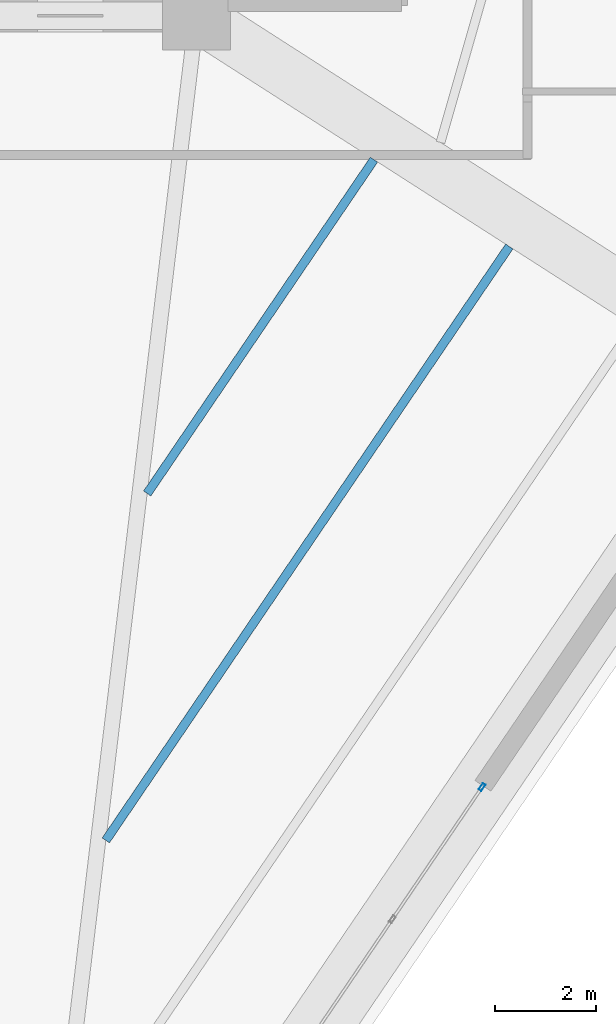
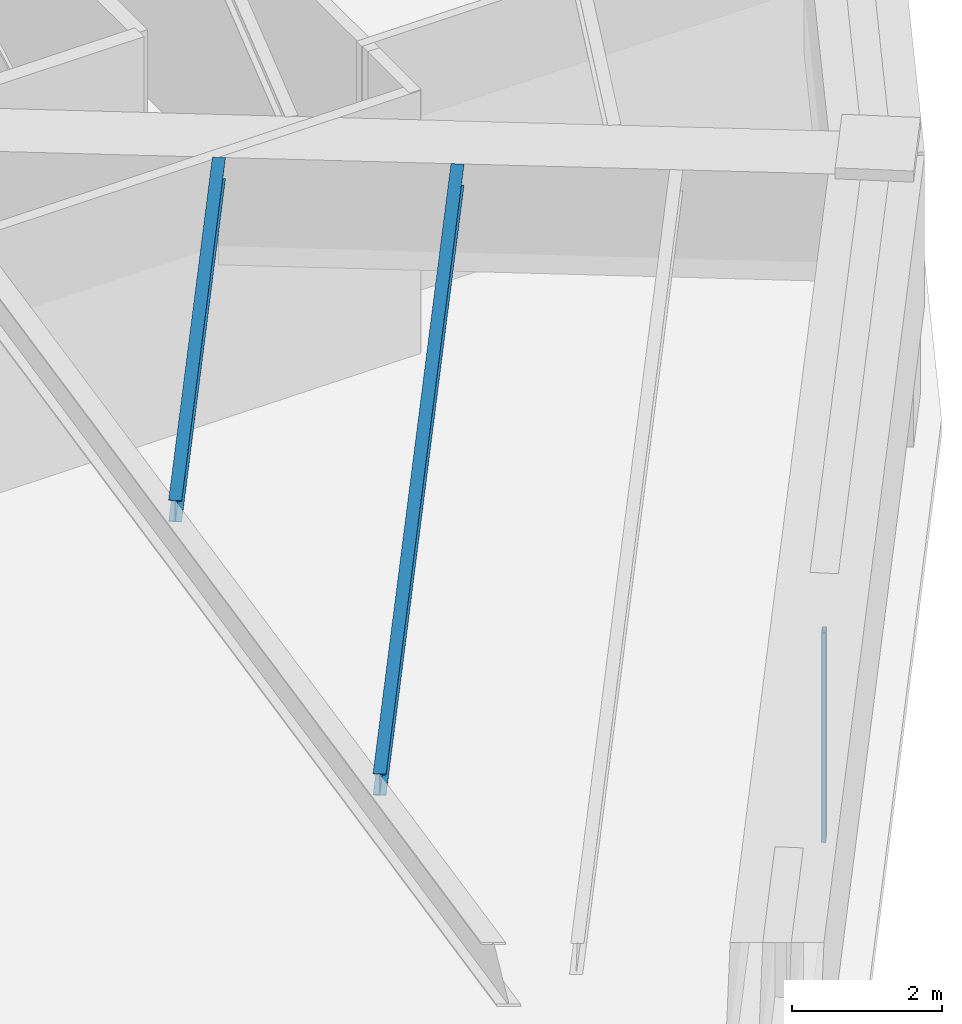
# One storey, part 10 of 39: 2 beams, 1 member, 1 element without a shape of its own.
"""IFC4 building model written with IfcOpenShell, lengths in metres."""

from ifc_helpers import new_model, si_unit, direction, frame, origin, origin_2d, place, context, subcontext, project, spatial, hollow_rectangle, i_section, extrude, source, transform, mapped, material, layer, layer_set, material_profile, profile_set, type_object, element, aggregate, save


model = new_model("IFC4")

# Units and contexts
model_context = context("Model", 3, precision=1e-05, world=origin(), true_north=direction((0.0, 1.0)))
body_context = subcontext(model_context, "Body", "Model", "MODEL_VIEW")
ifc_project = project(units=[si_unit("LENGTHUNIT", "METRE"), si_unit("AREAUNIT", "SQUARE_METRE"), si_unit("VOLUMEUNIT", "CUBIC_METRE"), si_unit("PLANEANGLEUNIT", "RADIAN"), si_unit("MASSUNIT", "GRAM", prefix="KILO")], contexts=[model_context])

# Site, building, storey
site_placement = place(None, origin())
site = spatial("IfcSite", under=ifc_project, at=site_placement, CompositionType="ELEMENT")
building_placement = place(site_placement, origin())
building = spatial("IfcBuilding", under=site, at=building_placement, Name="Liaohun Quay Tower", CompositionType="ELEMENT")
storey_placement = place(building_placement, frame((0.0, 0.0, 189.75)))
storey = spatial("IfcBuildingStorey", under=building, at=storey_placement, Name="L49", CompositionType="ELEMENT", Elevation=189.75)

# Beams
ifc_material_1 = material(Name="Steel Q355D", Category="steel")
ifc_material_profile_1 = material_profile(ifc_material_1, i_section(OverallWidth=0.175048828125, OverallDepth=0.35009765625, WebThickness=0.007080078125, FlangeThickness=0.010986328125, at=origin_2d()), Name="HN350x175x7x11")
ifc_profile_set_1 = profile_set([ifc_material_profile_1], Name="Steel Q355D")
beam_type = type_object("IfcBeamType", Name="BM-SEC-J3", PredefinedType="JOIST", material=ifc_profile_set_1)
shared_shape_1 = source(origin(), body_context, "Body", "SweptSolid", [
    extrude(i_section(OverallWidth=0.175048828125, OverallDepth=0.35009765625, WebThickness=0.007080078125, FlangeThickness=0.010986328125, at=origin_2d()), origin(), (0.0, 0.0, 1.0), 8.0029296875),
])
beam_1_placement = place(storey_placement, frame((72.51904296875, 43.64697265625, 4.14501953125), z_axis=(-0.561930299352, -0.82718458561, 0.0), x_axis=(0.82718458561, -0.561930299352, 0.0)))
element("IfcBeam", 1, at=beam_1_placement, inside=storey, type_object=beam_type, Name="L49 Wing Secondary Floor Joist SJ-12", PredefinedType="JOIST", context=body_context, shape_type="MappedRepresentation", body=[
    mapped(shared_shape_1, transform((0.0, 0.0, 0.0), x_axis=(1.0, 0.0, 0.0), y_axis=(0.0, 1.0, 0.0), z_axis=(0.0, 0.0, 1.0), scale=1.0)),
])
shared_shape_2 = source(origin(), body_context, "Body", "SweptSolid", [
    extrude(i_section(OverallWidth=0.175048828125, OverallDepth=0.35009765625, WebThickness=0.007080078125, FlangeThickness=0.010986328125, at=origin_2d()), origin(), (0.0, 0.0, 1.0), 14.235595703125),
])
beam_2_placement = place(storey_placement, frame((75.201904296875, 41.925048828125, 4.14501953125), z_axis=(-0.561968945143, -0.827158331092, 0.0), x_axis=(0.827158331092, -0.561968945143, 0.0)))
element("IfcBeam", 2, at=beam_2_placement, inside=storey, type_object=beam_type, Name="L49 Wing Secondary Floor Joist SJ-13", PredefinedType="JOIST", context=body_context, shape_type="MappedRepresentation", body=[
    mapped(shared_shape_2, transform((0.0, 0.0, 0.0), x_axis=(1.0, 0.0, 0.0), y_axis=(0.0, 1.0, 0.0), z_axis=(0.0, 0.0, 1.0), scale=1.0)),
])

# Curtain wall, member
ifc_material_2 = material(Name="Mid-height zone-break sky-lobby curtain wall")
ifc_layer = layer(ifc_material_2, 0.199951171875, Name="Mid-height zone-break sky-lobby curtain wall")
ifc_layer_set = layer_set([ifc_layer], Name="Mid-height zone-break sky-lobby curtain wall")
curtain_wall_type = type_object("IfcCurtainWallType", Name="CW-SKY-L49", PredefinedType="NOTDEFINED", material=ifc_layer_set)
curtain_wall_placement = place(storey_placement, origin())
curtain_wall = element("IfcCurtainWall", 3, at=curtain_wall_placement, inside=storey, type_object=curtain_wall_type, Name="L49 Panoramic Belvedere Curtain Wall 01", PredefinedType="NOTDEFINED")
ifc_material_3 = material(Name="Anodised aluminium 6063-T6", Category="aluminium")
ifc_material_profile_2 = material_profile(ifc_material_3, hollow_rectangle(XDim=0.06494140625, YDim=0.14990234375, WallThickness=0.00390625, at=origin_2d()), Name="RHS150x65x4")
ifc_profile_set_2 = profile_set([ifc_material_profile_2], Name="Anodised aluminium 6063-T6")
member_type = type_object("IfcMemberType", Name="MEM-CWM-SKY", PredefinedType="MULLION", material=ifc_profile_set_2)
shared_shape_3 = source(origin(), body_context, "Body", "SweptSolid", [
    extrude(hollow_rectangle(XDim=0.06494140625, YDim=0.14990234375, WallThickness=0.00390625, at=origin_2d()), origin(), (0.0, 0.0, 1.0), 3.419921875),
])
member_placement = place(storey_placement, frame((74.66162109375, 31.205078125, 0.0), z_axis=(0.0, 0.0, 1.0), x_axis=(-0.827138581932, 0.561998012701, 0.0)))
member = element("IfcMember", 4, at=member_placement, type_object=member_type, Name="CW4 mullion 3", PredefinedType="MULLION", context=body_context, shape_type="MappedRepresentation", body=[
    mapped(shared_shape_3, transform((0.0, 0.0, 0.0), x_axis=(1.0, 0.0, 0.0), y_axis=(0.0, 1.0, 0.0), z_axis=(0.0, 0.0, 1.0), scale=1.0)),
])
aggregate(curtain_wall, [member])

save(model, "model.ifc")
